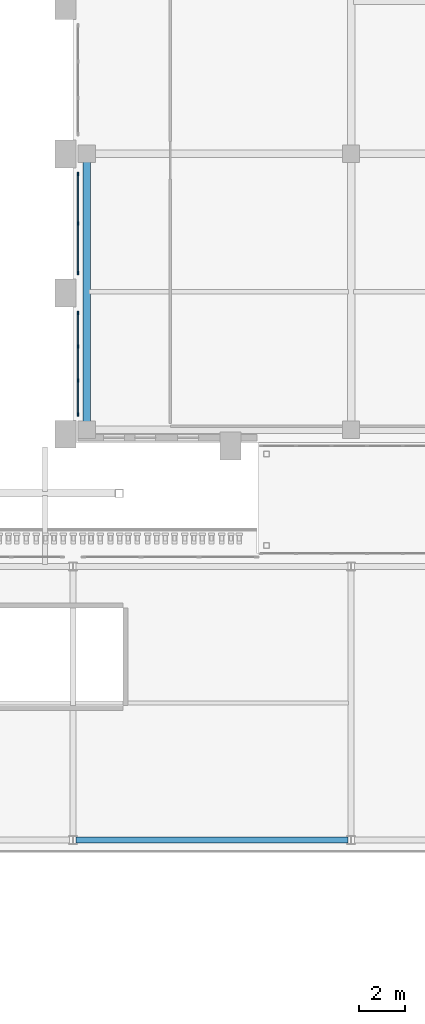
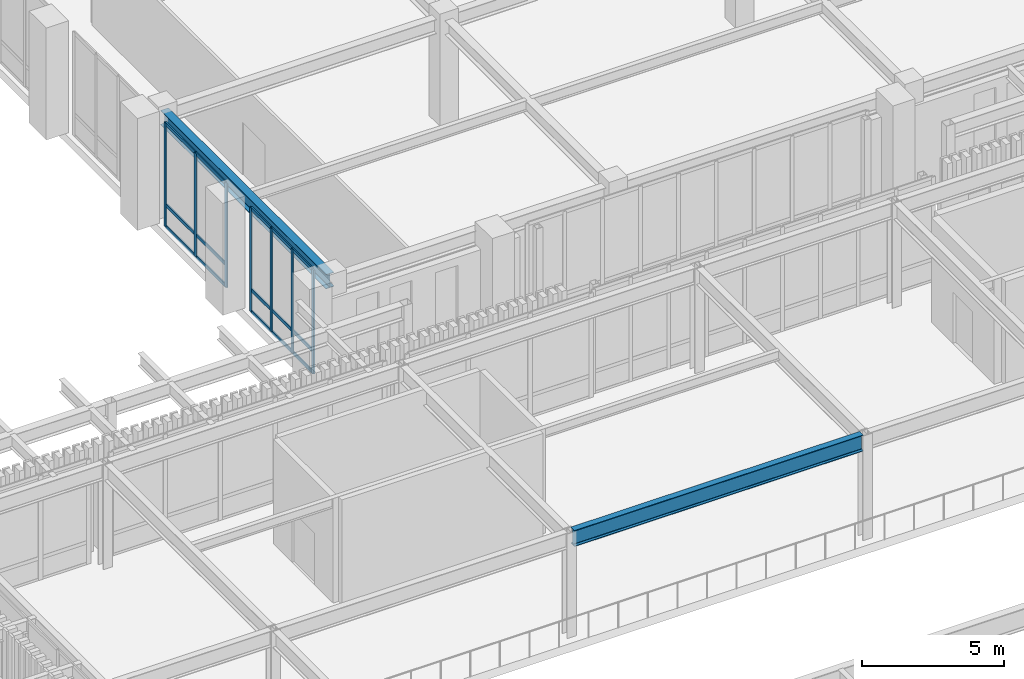
# One storey, part 57 of 126: 22 members, 2 beams, 2 elements without a shape of their own.
"""IFC4 building model written with IfcOpenShell, lengths in metres."""

from ifc_helpers import new_model, si_unit, derived_unit, direction, frame, origin, origin_2d, place, context, subcontext, project, spatial, rectangle, i_section, extrude, material, layer, layer_set, material_profile, profile_set, type_object, element, aggregate, save


model = new_model("IFC4")

# Units and contexts
model_context = context("Model", 3, precision=1e-05, world=origin(), true_north=direction((0.0, 1.0)))
body_context = subcontext(model_context, "Body", "Model", "MODEL_VIEW")
ifc_project = project(units=[si_unit("LENGTHUNIT", "METRE"), si_unit("AREAUNIT", "SQUARE_METRE"), si_unit("VOLUMEUNIT", "CUBIC_METRE"), si_unit("PLANEANGLEUNIT", "RADIAN"), si_unit("MASSUNIT", "GRAM", prefix="KILO"), derived_unit("THERMALTRANSMITTANCEUNIT", [(si_unit("MASSUNIT", "GRAM", prefix="KILO"), 1), (si_unit("TIMEUNIT", "SECOND"), -3), (si_unit("THERMODYNAMICTEMPERATUREUNIT", "KELVIN"), -1)])], contexts=[model_context])

# Site, building, storey
site_placement = place(None, origin())
site = spatial("IfcSite", under=ifc_project, at=site_placement, CompositionType="ELEMENT")
building_placement = place(site_placement, origin())
building = spatial("IfcBuilding", under=site, at=building_placement, Name="Valcora Ridge Arena", CompositionType="ELEMENT")
storey_placement = place(building_placement, frame((0.0, 0.0, 11.39990234375)))
storey = spatial("IfcBuildingStorey", under=building, at=storey_placement, Name="L02", CompositionType="ELEMENT", Elevation=11.39990234375)

# Beams
ifc_material_1 = material(Name="Steel ASTM A572 Grade 50", Category="steel")
ifc_material_profile_1 = material_profile(ifc_material_1, i_section(OverallWidth=0.324951171875, OverallDepth=0.612060546875, WebThickness=0.0126953125, FlangeThickness=0.01904296875, FilletRadius=0.01806640625, at=origin_2d()), Name="W24X104")
ifc_profile_set_1 = profile_set([ifc_material_profile_1], Name="Steel ASTM A572 Grade 50")
beam_type_1 = type_object("IfcBeamType", Name="TY-BEAM-G-W24X104-Y", PredefinedType="BEAM", material=ifc_profile_set_1)
beam_1_placement = place(storey_placement, frame((156.60009765625, 83.840087890625, 4.14404296875), z_axis=(0.0, 1.0, 0.0), x_axis=(-1.0, 0.0, 0.0)))
element("IfcBeam", 1, at=beam_1_placement, inside=storey, type_object=beam_type_1, Name="G-W24X104-Y BEM-G-W24X104-Y-0096", PredefinedType="BEAM", context=body_context, shape_type="SweptSolid", body=[
    extrude(i_section(OverallWidth=0.324951171875, OverallDepth=0.612060546875, WebThickness=0.0126953125, FlangeThickness=0.01904296875, FilletRadius=0.01806640625, at=origin_2d()), origin(), (0.0, 0.0, 1.0), 11.619873046875),
])
ifc_material_profile_2 = material_profile(ifc_material_1, i_section(OverallWidth=0.256103515625, OverallDepth=0.693115234375, WebThickness=0.014404296875, FlangeThickness=0.023681640625, FilletRadius=0.02001953125, at=origin_2d()), Name="W27X114")
ifc_profile_set_2 = profile_set([ifc_material_profile_2], Name="Steel ASTM A572 Grade 50")
beam_type_2 = type_object("IfcBeamType", Name="TY-BEAM-G-W27X114-X", PredefinedType="BEAM", material=ifc_profile_set_2)
beam_2_placement = place(storey_placement, frame((156.139892578125, 66.0, 4.133544921875), z_axis=(1.0, 0.0, 0.0), x_axis=(0.0, 1.0, 0.0)))
element("IfcBeam", 2, at=beam_2_placement, inside=storey, type_object=beam_type_2, Name="G-W27X114-X BEM-G-W27X114-X-0049", PredefinedType="BEAM", context=body_context, shape_type="SweptSolid", body=[
    extrude(i_section(OverallWidth=0.256103515625, OverallDepth=0.693115234375, WebThickness=0.014404296875, FlangeThickness=0.023681640625, FilletRadius=0.02001953125, at=origin_2d()), origin(), (0.0, 0.0, 1.0), 11.72021484375),
])

# Curtain wall, members
ifc_material_2 = material(Name="Anodised dark bronze architectural aluminium 6063-T6", Category="aluminium")
ifc_layer_1 = layer(ifc_material_2, 0.14990234375, Name="Anodised dark bronze architectural aluminium 6063-T6")
ifc_layer_set_1 = layer_set([ifc_layer_1], Name="Anodised dark bronze architectural aluminium 6063-T6")
curtain_wall_type_1 = type_object("IfcCurtainWallType", Name="TY-CURTAINWALL-CW-V5-MED-044X44", PredefinedType="NOTDEFINED", material=ifc_layer_set_1)
curtain_wall_1_placement = place(storey_placement, origin())
curtain_wall_1 = element("IfcCurtainWall", 3, at=curtain_wall_1_placement, inside=storey, type_object=curtain_wall_type_1, Name="CW-V5-MED-044X44 CW-0332", PredefinedType="NOTDEFINED")
ifc_material_profile_3 = material_profile(ifc_material_2, rectangle(XDim=0.050048828125, YDim=0.14990234375, at=origin_2d()), Name="ALU MULLION 50x150")
ifc_profile_set_3 = profile_set([ifc_material_profile_3], Name="Anodised dark bronze architectural aluminium 6063-T6")
member_type_1 = type_object("IfcMemberType", Name="TY-MEM-CWM-50x150", PredefinedType="MULLION", material=ifc_profile_set_3)
member_1_placement = place(storey_placement, frame((156.219970703125, 84.364990234375, 0.0), z_axis=(0.0, 0.0, 1.0), x_axis=(-1.0, 0.0, 0.0)))
member_1 = element("IfcMember", 4, at=member_1_placement, type_object=member_type_1, Name="CW-0332/CWM-50x150/M00", PredefinedType="MULLION", context=body_context, shape_type="SweptSolid", body=[
    extrude(rectangle(XDim=0.050048828125, YDim=0.14990234375, at=origin_2d()), origin(), (0.0, 0.0, 1.0), 4.4501953125),
])
member_2_placement = place(storey_placement, frame((156.219970703125, 85.813232421875, 0.0), z_axis=(0.0, 0.0, 1.0), x_axis=(-1.0, 0.0, 0.0)))
member_2 = element("IfcMember", 5, at=member_2_placement, type_object=member_type_1, Name="CW-0332/CWM-50x150/M01", PredefinedType="MULLION", context=body_context, shape_type="SweptSolid", body=[
    extrude(rectangle(XDim=0.050048828125, YDim=0.14990234375, at=origin_2d()), origin(), (0.0, 0.0, 1.0), 4.4501953125),
])
member_3_placement = place(storey_placement, frame((156.219970703125, 87.28662109375, 0.0), z_axis=(0.0, 0.0, 1.0), x_axis=(-1.0, 0.0, 0.0)))
member_3 = element("IfcMember", 6, at=member_3_placement, type_object=member_type_1, Name="CW-0332/CWM-50x150/M02", PredefinedType="MULLION", context=body_context, shape_type="SweptSolid", body=[
    extrude(rectangle(XDim=0.050048828125, YDim=0.14990234375, at=origin_2d()), origin(), (0.0, 0.0, 1.0), 4.4501953125),
])
member_4_placement = place(storey_placement, frame((156.219970703125, 88.735107421875, 0.0), z_axis=(0.0, 0.0, 1.0), x_axis=(-1.0, 0.0, 0.0)))
member_4 = element("IfcMember", 7, at=member_4_placement, type_object=member_type_1, Name="CW-0332/CWM-50x150/M03", PredefinedType="MULLION", context=body_context, shape_type="SweptSolid", body=[
    extrude(rectangle(XDim=0.050048828125, YDim=0.14990234375, at=origin_2d()), origin(), (0.0, 0.0, 1.0), 4.4501953125),
])

ifc_layer_2 = layer(ifc_material_2, 0.14990234375, Name="Anodised dark bronze architectural aluminium 6063-T6")
ifc_layer_set_2 = layer_set([ifc_layer_2], Name="Anodised dark bronze architectural aluminium 6063-T6")
curtain_wall_type_2 = type_object("IfcCurtainWallType", Name="TY-CURTAINWALL-CW-V5-MED-043X44", PredefinedType="NOTDEFINED", material=ifc_layer_set_2)
curtain_wall_2_placement = place(storey_placement, origin())
curtain_wall_2 = element("IfcCurtainWall", 8, at=curtain_wall_2_placement, inside=storey, type_object=curtain_wall_type_2, Name="CW-V5-MED-043X44 CW-0333", PredefinedType="NOTDEFINED")
member_5_placement = place(storey_placement, frame((156.219970703125, 90.465087890625, 0.0), z_axis=(0.0, 0.0, 1.0), x_axis=(-1.0, 0.0, 0.0)))
member_5 = element("IfcMember", 9, at=member_5_placement, type_object=member_type_1, Name="CW-0333/CWM-50x150/M00", PredefinedType="MULLION", context=body_context, shape_type="SweptSolid", body=[
    extrude(rectangle(XDim=0.050048828125, YDim=0.14990234375, at=origin_2d()), origin(), (0.0, 0.0, 1.0), 4.4501953125),
])
member_6_placement = place(storey_placement, frame((156.219970703125, 92.60009765625, 0.0), z_axis=(0.0, 0.0, 1.0), x_axis=(-1.0, 0.0, 0.0)))
member_6 = element("IfcMember", 10, at=member_6_placement, type_object=member_type_1, Name="CW-0333/CWM-50x150/M01", PredefinedType="MULLION", context=body_context, shape_type="SweptSolid", body=[
    extrude(rectangle(XDim=0.050048828125, YDim=0.14990234375, at=origin_2d()), origin(), (0.0, 0.0, 1.0), 4.4501953125),
])
member_7_placement = place(storey_placement, frame((156.219970703125, 94.735107421875, 0.0), z_axis=(0.0, 0.0, 1.0), x_axis=(-1.0, 0.0, 0.0)))
member_7 = element("IfcMember", 11, at=member_7_placement, type_object=member_type_1, Name="CW-0333/CWM-50x150/M02", PredefinedType="MULLION", context=body_context, shape_type="SweptSolid", body=[
    extrude(rectangle(XDim=0.050048828125, YDim=0.14990234375, at=origin_2d()), origin(), (0.0, 0.0, 1.0), 4.4501953125),
])

# Member
ifc_material_profile_4 = material_profile(ifc_material_2, rectangle(XDim=0.050048828125, YDim=0.14990234375, at=origin_2d()), Name="ALU TRANSOM 50x150")
ifc_profile_set_4 = profile_set([ifc_material_profile_4], Name="Anodised dark bronze architectural aluminium 6063-T6")
member_type_2 = type_object("IfcMemberType", Name="TY-MEM-CWT-50x150", PredefinedType="USERDEFINED", material=ifc_profile_set_4)
member_8_placement = place(storey_placement, frame((156.219970703125, 84.389892578125, 0.025146484375), z_axis=(0.0, 1.0, 0.0), x_axis=(-1.0, 0.0, 0.0)))
member_8 = element("IfcMember", 12, at=member_8_placement, type_object=member_type_2, Name="CW-0332/CWT-50x150/T00-00", ObjectType="TRANSOM", PredefinedType="USERDEFINED", context=body_context, shape_type="SweptSolid", body=[
    extrude(rectangle(XDim=0.050048828125, YDim=0.14990234375, at=origin_2d()), origin(), (0.0, 0.0, 1.0), 1.398193359375),
])

member_9_placement = place(storey_placement, frame((156.219970703125, 84.389892578125, 0.9501953125), z_axis=(0.0, 1.0, 0.0), x_axis=(-1.0, 0.0, 0.0)))
member_9 = element("IfcMember", 13, at=member_9_placement, type_object=member_type_2, Name="CW-0332/CWT-50x150/T00-01", ObjectType="TRANSOM", PredefinedType="USERDEFINED", context=body_context, shape_type="SweptSolid", body=[
    extrude(rectangle(XDim=0.050048828125, YDim=0.14990234375, at=origin_2d()), origin(), (0.0, 0.0, 1.0), 1.398193359375),
])

member_10_placement = place(storey_placement, frame((156.219970703125, 84.389892578125, 4.425048828125), z_axis=(0.0, 1.0, 0.0), x_axis=(-1.0, 0.0, 0.0)))
member_10 = element("IfcMember", 14, at=member_10_placement, type_object=member_type_2, Name="CW-0332/CWT-50x150/T00-02", ObjectType="TRANSOM", PredefinedType="USERDEFINED", context=body_context, shape_type="SweptSolid", body=[
    extrude(rectangle(XDim=0.050048828125, YDim=0.14990234375, at=origin_2d()), origin(), (0.0, 0.0, 1.0), 1.398193359375),
])

member_11_placement = place(storey_placement, frame((156.219970703125, 85.837890625, 0.025146484375), z_axis=(0.0, 1.0, 0.0), x_axis=(-1.0, 0.0, 0.0)))
member_11 = element("IfcMember", 15, at=member_11_placement, type_object=member_type_2, Name="CW-0332/CWT-50x150/T01-00", ObjectType="TRANSOM", PredefinedType="USERDEFINED", context=body_context, shape_type="SweptSolid", body=[
    extrude(rectangle(XDim=0.050048828125, YDim=0.14990234375, at=origin_2d()), origin(), (0.0, 0.0, 1.0), 1.424072265625),
])

member_12_placement = place(storey_placement, frame((156.219970703125, 85.837890625, 0.9501953125), z_axis=(0.0, 1.0, 0.0), x_axis=(-1.0, 0.0, 0.0)))
member_12 = element("IfcMember", 16, at=member_12_placement, type_object=member_type_2, Name="CW-0332/CWT-50x150/T01-01", ObjectType="TRANSOM", PredefinedType="USERDEFINED", context=body_context, shape_type="SweptSolid", body=[
    extrude(rectangle(XDim=0.050048828125, YDim=0.14990234375, at=origin_2d()), origin(), (0.0, 0.0, 1.0), 1.424072265625),
])

member_13_placement = place(storey_placement, frame((156.219970703125, 85.837890625, 4.425048828125), z_axis=(0.0, 1.0, 0.0), x_axis=(-1.0, 0.0, 0.0)))
member_13 = element("IfcMember", 17, at=member_13_placement, type_object=member_type_2, Name="CW-0332/CWT-50x150/T01-02", ObjectType="TRANSOM", PredefinedType="USERDEFINED", context=body_context, shape_type="SweptSolid", body=[
    extrude(rectangle(XDim=0.050048828125, YDim=0.14990234375, at=origin_2d()), origin(), (0.0, 0.0, 1.0), 1.424072265625),
])

member_14_placement = place(storey_placement, frame((156.219970703125, 87.31201171875, 0.025146484375), z_axis=(0.0, 1.0, 0.0), x_axis=(-1.0, 0.0, 0.0)))
member_14 = element("IfcMember", 18, at=member_14_placement, type_object=member_type_2, Name="CW-0332/CWT-50x150/T02-00", ObjectType="TRANSOM", PredefinedType="USERDEFINED", context=body_context, shape_type="SweptSolid", body=[
    extrude(rectangle(XDim=0.050048828125, YDim=0.14990234375, at=origin_2d()), origin(), (0.0, 0.0, 1.0), 1.39794921875),
])

member_15_placement = place(storey_placement, frame((156.219970703125, 87.31201171875, 0.9501953125), z_axis=(0.0, 1.0, 0.0), x_axis=(-1.0, 0.0, 0.0)))
member_15 = element("IfcMember", 19, at=member_15_placement, type_object=member_type_2, Name="CW-0332/CWT-50x150/T02-01", ObjectType="TRANSOM", PredefinedType="USERDEFINED", context=body_context, shape_type="SweptSolid", body=[
    extrude(rectangle(XDim=0.050048828125, YDim=0.14990234375, at=origin_2d()), origin(), (0.0, 0.0, 1.0), 1.39794921875),
])

member_16_placement = place(storey_placement, frame((156.219970703125, 87.31201171875, 4.425048828125), z_axis=(0.0, 1.0, 0.0), x_axis=(-1.0, 0.0, 0.0)))
member_16 = element("IfcMember", 20, at=member_16_placement, type_object=member_type_2, Name="CW-0332/CWT-50x150/T02-02", ObjectType="TRANSOM", PredefinedType="USERDEFINED", context=body_context, shape_type="SweptSolid", body=[
    extrude(rectangle(XDim=0.050048828125, YDim=0.14990234375, at=origin_2d()), origin(), (0.0, 0.0, 1.0), 1.39794921875),
])

aggregate(curtain_wall_1, [member_1, member_2, member_3, member_4, member_8, member_9, member_10, member_11, member_12, member_13, member_14, member_15, member_16])

member_17_placement = place(storey_placement, frame((156.219970703125, 90.489990234375, 0.025146484375), z_axis=(0.0, 1.0, 0.0), x_axis=(-1.0, 0.0, 0.0)))
member_17 = element("IfcMember", 21, at=member_17_placement, type_object=member_type_2, Name="CW-0333/CWT-50x150/T00-00", ObjectType="TRANSOM", PredefinedType="USERDEFINED", context=body_context, shape_type="SweptSolid", body=[
    extrude(rectangle(XDim=0.050048828125, YDim=0.14990234375, at=origin_2d()), origin(), (0.0, 0.0, 1.0), 2.0849609375),
])

member_18_placement = place(storey_placement, frame((156.219970703125, 90.489990234375, 0.9501953125), z_axis=(0.0, 1.0, 0.0), x_axis=(-1.0, 0.0, 0.0)))
member_18 = element("IfcMember", 22, at=member_18_placement, type_object=member_type_2, Name="CW-0333/CWT-50x150/T00-01", ObjectType="TRANSOM", PredefinedType="USERDEFINED", context=body_context, shape_type="SweptSolid", body=[
    extrude(rectangle(XDim=0.050048828125, YDim=0.14990234375, at=origin_2d()), origin(), (0.0, 0.0, 1.0), 2.0849609375),
])

member_19_placement = place(storey_placement, frame((156.219970703125, 90.489990234375, 4.425048828125), z_axis=(0.0, 1.0, 0.0), x_axis=(-1.0, 0.0, 0.0)))
member_19 = element("IfcMember", 23, at=member_19_placement, type_object=member_type_2, Name="CW-0333/CWT-50x150/T00-02", ObjectType="TRANSOM", PredefinedType="USERDEFINED", context=body_context, shape_type="SweptSolid", body=[
    extrude(rectangle(XDim=0.050048828125, YDim=0.14990234375, at=origin_2d()), origin(), (0.0, 0.0, 1.0), 2.0849609375),
])

member_20_placement = place(storey_placement, frame((156.219970703125, 92.625, 0.025146484375), z_axis=(0.0, 1.0, 0.0), x_axis=(-1.0, 0.0, 0.0)))
member_20 = element("IfcMember", 24, at=member_20_placement, type_object=member_type_2, Name="CW-0333/CWT-50x150/T01-00", ObjectType="TRANSOM", PredefinedType="USERDEFINED", context=body_context, shape_type="SweptSolid", body=[
    extrude(rectangle(XDim=0.050048828125, YDim=0.14990234375, at=origin_2d()), origin(), (0.0, 0.0, 1.0), 2.0849609375),
])

member_21_placement = place(storey_placement, frame((156.219970703125, 92.625, 0.9501953125), z_axis=(0.0, 1.0, 0.0), x_axis=(-1.0, 0.0, 0.0)))
member_21 = element("IfcMember", 25, at=member_21_placement, type_object=member_type_2, Name="CW-0333/CWT-50x150/T01-01", ObjectType="TRANSOM", PredefinedType="USERDEFINED", context=body_context, shape_type="SweptSolid", body=[
    extrude(rectangle(XDim=0.050048828125, YDim=0.14990234375, at=origin_2d()), origin(), (0.0, 0.0, 1.0), 2.0849609375),
])

member_22_placement = place(storey_placement, frame((156.219970703125, 92.625, 4.425048828125), z_axis=(0.0, 1.0, 0.0), x_axis=(-1.0, 0.0, 0.0)))
member_22 = element("IfcMember", 26, at=member_22_placement, type_object=member_type_2, Name="CW-0333/CWT-50x150/T01-02", ObjectType="TRANSOM", PredefinedType="USERDEFINED", context=body_context, shape_type="SweptSolid", body=[
    extrude(rectangle(XDim=0.050048828125, YDim=0.14990234375, at=origin_2d()), origin(), (0.0, 0.0, 1.0), 2.0849609375),
])

aggregate(curtain_wall_2, [member_5, member_6, member_7, member_17, member_18, member_19, member_20, member_21, member_22])

save(model, "model.ifc")
